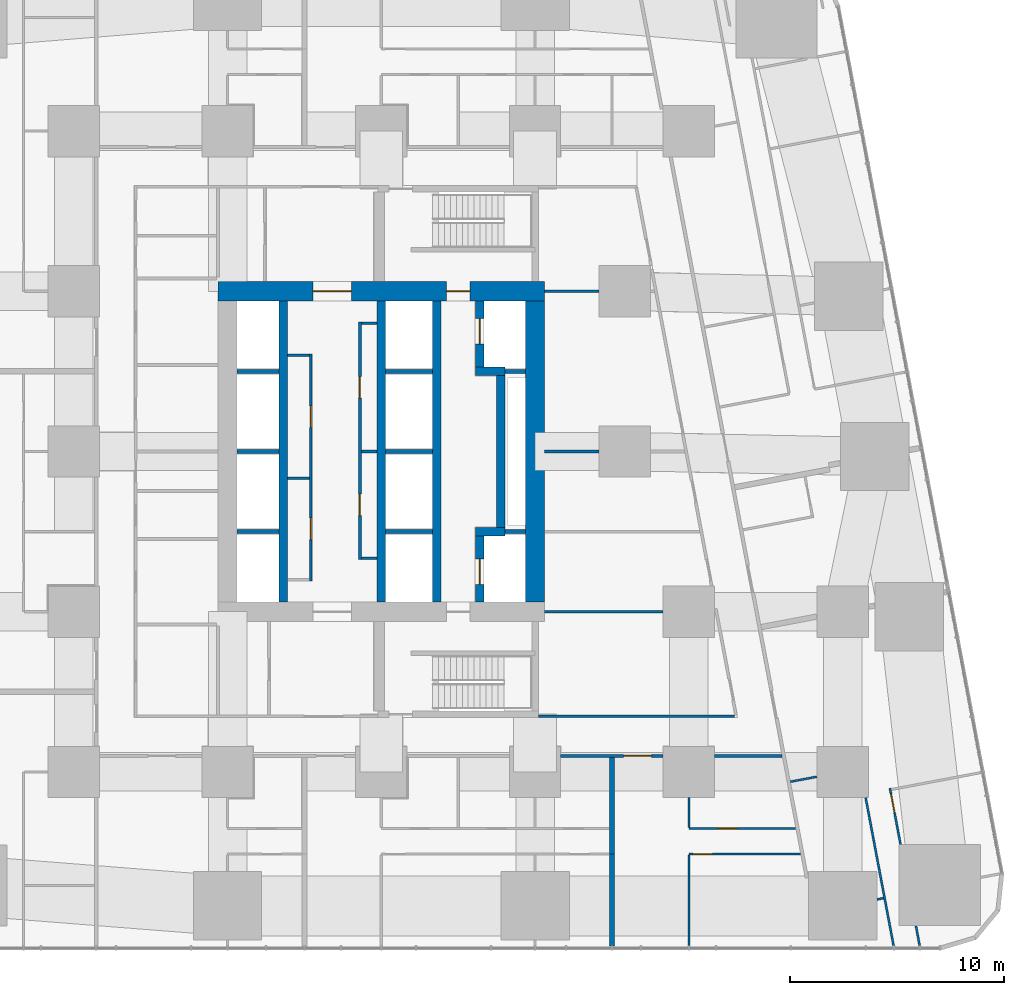
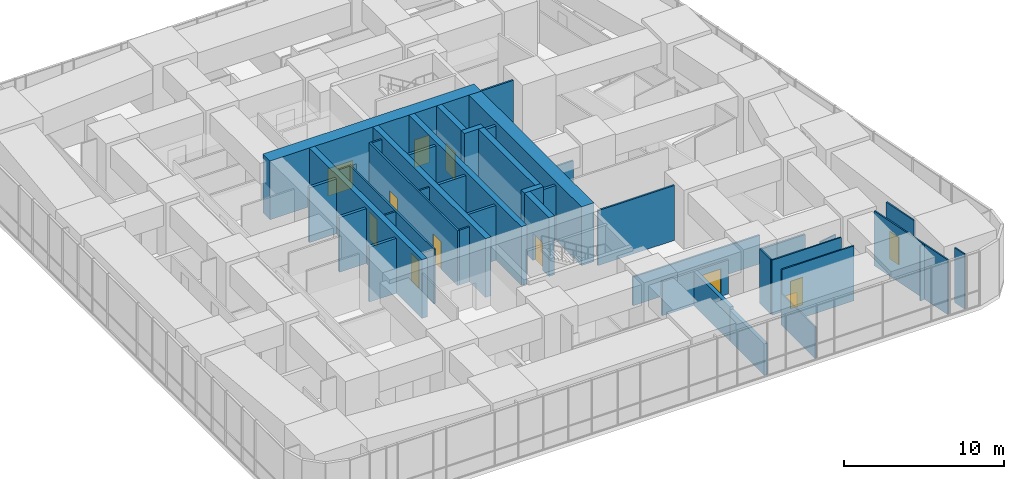
# One storey, part 16 of 22: 42 walls, 12 doors, 12 openings.
"""IFC4 building model written with IfcOpenShell, lengths in metres."""

from ifc_helpers import new_model, si_unit, direction, frame, frame_2d, origin, place, context, subcontext, project, spatial, rectangle, extrude, material, layer, layer_set, type_object, element, fill, save


model = new_model("IFC4")

# Units and contexts
model_context = context("Model", 3, precision=1e-05, world=origin(), true_north=direction((0.0, 1.0)))
body_context = subcontext(model_context, "Body", "Model", "MODEL_VIEW")
ifc_project = project(units=[si_unit("LENGTHUNIT", "METRE"), si_unit("AREAUNIT", "SQUARE_METRE"), si_unit("VOLUMEUNIT", "CUBIC_METRE"), si_unit("PLANEANGLEUNIT", "RADIAN"), si_unit("MASSUNIT", "GRAM", prefix="KILO")], contexts=[model_context])

# Site, building, storey
site_placement = place(None, origin())
site = spatial("IfcSite", under=ifc_project, at=site_placement, CompositionType="ELEMENT")
building_placement = place(site_placement, origin())
building = spatial("IfcBuilding", under=site, at=building_placement, Name="Sheger Commons Tower", CompositionType="ELEMENT")
storey_placement = place(building_placement, frame((0.0, 0.0, 10.10009765625)))
storey = spatial("IfcBuildingStorey", under=building, at=storey_placement, Name="L02", CompositionType="ELEMENT", Elevation=10.10009765625)

# Walls
ifc_material_1 = material(Name="Concrete C50/60", Category="concrete")
ifc_layer_1 = layer(ifc_material_1, 0.39990234375)
ifc_layer_set_1 = layer_set([ifc_layer_1], Name="CORE INNER WALL 400")
wall_type_1 = type_object("IfcWallType", Name="CORE INNER WALL 400", PredefinedType="SHEAR", material=ifc_layer_set_1)
for number, where, z_axis, x_axis, name in (
    (1, (17.0, 15.449951171875, 0.0), (0.0, 0.0, 1.0), (0.0, 1.0, 0.0), "Core inner wall A L02"),
    (2, (21.60009765625, 15.449951171875, 0.0), (0.0, 0.0, 1.0), (0.0, 1.0, 0.0), "Core inner wall L L02"),
    (3, (24.199951171875, 15.449951171875, 0.0), (0.0, 0.0, 1.0), (0.0, 1.0, 0.0), "Core inner wall B L02"),
):
    element("IfcWall", number, at=place(storey_placement, frame(where, z_axis=z_axis, x_axis=x_axis)), inside=storey, type_object=wall_type_1, Name=name, PredefinedType="SHEAR", context=body_context, shape_type="SweptSolid", body=[
        extrude(rectangle(XDim=14.10009765625, YDim=0.39990234375, at=frame_2d((7.050048828125, 0.0))), origin(), (0.0, 0.0, 1.0), 4.5),
    ])

# Wall, opening, door
wall_1_placement = place(storey_placement, frame((26.199951171875, 15.449951171875, 0.0), z_axis=(0.0, 0.0, 1.0), x_axis=(0.0, 1.0, 0.0)))
wall_1 = element("IfcWall", 4, at=wall_1_placement, inside=storey, type_object=wall_type_1, Name="Core inner wall F L02", PredefinedType="SHEAR", context=body_context, shape_type="SweptSolid", body=[
    extrude(rectangle(XDim=3.10009765625, YDim=0.39990234375, at=frame_2d((1.550048828125, 0.0))), origin(), (0.0, 0.0, 1.0), 4.5),
])
opening_1_placement = place(wall_1_placement, frame((0.824951171875, 0.0, 0.0)))
opening_1 = element("IfcOpeningElement", 5, at=opening_1_placement, cuts=wall_1, Name="Opening LD2", PredefinedType="OPENING", context=body_context, shape_type="SweptSolid", body=[
    extrude(rectangle(XDim=1.199951171875, YDim=2.10009765625, at=frame_2d((0.60009765625, 1.050048828125))), frame((0.0, 0.2099609375, 0.0), z_axis=(0.0, -1.0, 0.0), x_axis=(1.0, 0.0, 0.0)), (0.0, 0.0, 1.0), 0.419921875),
])
ifc_material_2 = material(Name="Steel door set, fire rated", Category="steel")
door_type_1 = type_object("IfcDoorType", Name="FIREFIGHTING LIFT LANDING DOOR 1200x2100", OperationType="DOUBLE_DOOR_SLIDING", PredefinedType="DOOR", material=ifc_material_2)
door_1_placement = place(opening_1_placement, origin())
door_1 = element("IfcDoor", 6, at=door_1_placement, inside=storey, type_object=door_type_1, Name="Lift FL1 landing door", OperationType="DOUBLE_DOOR_SLIDING", OverallHeight=2.10009765625, OverallWidth=1.199951171875, PredefinedType="DOOR", context=body_context, shape_type="SweptSolid", body=[
    extrude(rectangle(XDim=1.199951171875, YDim=2.10009765625, at=frame_2d((0.60009765625, 1.050048828125))), frame((0.0, 0.02490234375, 0.0), z_axis=(0.0, -1.0, 0.0), x_axis=(1.0, 0.0, 0.0)), (0.0, 0.0, 1.0), 0.050048828125),
])
fill(opening_1, door_1)

# Walls
wall_2_placement = place(storey_placement, frame((26.0, 18.75, 0.0), z_axis=(0.0, 0.0, 1.0), x_axis=(1.0, 0.0, 0.0)))
element("IfcWall", 7, at=wall_2_placement, inside=storey, type_object=wall_type_1, Name="Core inner wall F south return L02", PredefinedType="SHEAR", context=body_context, shape_type="SweptSolid", body=[
    extrude(rectangle(XDim=1.39990234375, YDim=0.39990234375, at=frame_2d((0.699951171875, 0.0))), origin(), (0.0, 0.0, 1.0), 4.5),
])
wall_3_placement = place(storey_placement, frame((27.199951171875, 18.949951171875, 0.0), z_axis=(0.0, 0.0, 1.0), x_axis=(0.0, 1.0, 0.0)))
element("IfcWall", 8, at=wall_3_placement, inside=storey, type_object=wall_type_1, Name="Core inner wall F middle L02", PredefinedType="SHEAR", context=body_context, shape_type="SweptSolid", body=[
    extrude(rectangle(XDim=7.10009765625, YDim=0.39990234375, at=frame_2d((3.550048828125, 0.0))), origin(), (0.0, 0.0, 1.0), 4.5),
])
wall_4_placement = place(storey_placement, frame((26.0, 26.25, 0.0), z_axis=(0.0, 0.0, 1.0), x_axis=(1.0, 0.0, 0.0)))
element("IfcWall", 9, at=wall_4_placement, inside=storey, type_object=wall_type_1, Name="Core inner wall F north return L02", PredefinedType="SHEAR", context=body_context, shape_type="SweptSolid", body=[
    extrude(rectangle(XDim=1.39990234375, YDim=0.39990234375, at=frame_2d((0.699951171875, 0.0))), origin(), (0.0, 0.0, 1.0), 4.5),
])

# Wall, opening, door
wall_5_placement = place(storey_placement, frame((26.199951171875, 26.449951171875, 0.0), z_axis=(0.0, 0.0, 1.0), x_axis=(0.0, 1.0, 0.0)))
wall_5 = element("IfcWall", 10, at=wall_5_placement, inside=storey, type_object=wall_type_1, Name="Core inner wall F north L02", PredefinedType="SHEAR", context=body_context, shape_type="SweptSolid", body=[
    extrude(rectangle(XDim=3.10009765625, YDim=0.39990234375, at=frame_2d((1.550048828125, 0.0))), origin(), (0.0, 0.0, 1.0), 4.5),
])
opening_2_placement = place(wall_5_placement, frame((1.074951171875, 0.0, 0.0)))
opening_2 = element("IfcOpeningElement", 11, at=opening_2_placement, cuts=wall_5, Name="Opening LD2", PredefinedType="OPENING", context=body_context, shape_type="SweptSolid", body=[
    extrude(rectangle(XDim=1.199951171875, YDim=2.10009765625, at=frame_2d((0.60009765625, 1.050048828125))), frame((0.0, 0.2099609375, 0.0), z_axis=(0.0, -1.0, 0.0), x_axis=(1.0, 0.0, 0.0)), (0.0, 0.0, 1.0), 0.419921875),
])
door_2_placement = place(opening_2_placement, origin())
door_2 = element("IfcDoor", 12, at=door_2_placement, inside=storey, type_object=door_type_1, Name="Lift FL2 landing door", OperationType="DOUBLE_DOOR_SLIDING", OverallHeight=2.10009765625, OverallWidth=1.199951171875, PredefinedType="DOOR", context=body_context, shape_type="SweptSolid", body=[
    extrude(rectangle(XDim=1.199951171875, YDim=2.10009765625, at=frame_2d((0.60009765625, 1.050048828125))), frame((0.0, 0.02490234375, 0.0), z_axis=(0.0, -1.0, 0.0), x_axis=(1.0, 0.0, 0.0)), (0.0, 0.0, 1.0), 0.050048828125),
])
fill(opening_2, door_2)

# Wall, openings, doors
ifc_material_3 = material(Name="Concrete C50/60", Category="concrete")
ifc_layer_2 = layer(ifc_material_3, 0.89990234375)
ifc_layer_set_2 = layer_set([ifc_layer_2], Name="CORE WALL 900")
wall_type_2 = type_object("IfcWallType", Name="CORE WALL 900", PredefinedType="SHEAR", material=ifc_layer_set_2)
wall_6_placement = place(storey_placement, frame((13.949951171875, 30.0, 0.0), z_axis=(0.0, 0.0, 1.0), x_axis=(1.0, 0.0, 0.0)))
wall_6 = element("IfcWall", 13, at=wall_6_placement, inside=storey, type_object=wall_type_2, Name="Core wall north L02", PredefinedType="SHEAR", context=body_context, shape_type="SweptSolid", body=[
    extrude(rectangle(XDim=15.300048828125, YDim=0.89990234375, at=frame_2d((7.64990234375, 0.0))), origin(), (0.0, 0.0, 1.0), 4.5),
])
opening_3_placement = place(wall_6_placement, frame((4.449951171875, 0.0, 0.0)))
opening_3 = element("IfcOpeningElement", 14, at=opening_3_placement, cuts=wall_6, Name="Opening D6", PredefinedType="OPENING", context=body_context, shape_type="SweptSolid", body=[
    extrude(rectangle(XDim=1.800048828125, YDim=2.10009765625, at=frame_2d((0.89990234375, 1.050048828125))), frame((0.0, 0.4599609375, 0.0), z_axis=(0.0, -1.0, 0.0), x_axis=(1.0, 0.0, 0.0)), (0.0, 0.0, 1.0), 0.919921875),
])
opening_4_placement = place(wall_6_placement, frame((10.699951171875, 0.0, 0.0)))
opening_4 = element("IfcOpeningElement", 15, at=opening_4_placement, cuts=wall_6, Name="Opening D5", PredefinedType="OPENING", context=body_context, shape_type="SweptSolid", body=[
    extrude(rectangle(XDim=1.10009765625, YDim=2.10009765625, at=frame_2d((0.550048828125, 1.050048828125))), frame((0.0, 0.4599609375, 0.0), z_axis=(0.0, -1.0, 0.0), x_axis=(1.0, 0.0, 0.0)), (0.0, 0.0, 1.0), 0.919921875),
])
ifc_material_4 = material(Name="Steel door set, fire rated", Category="steel")
door_type_2 = type_object("IfcDoorType", Name="LOBBY DOUBLE DOOR 1800x2100", OperationType="DOUBLE_DOOR_SINGLE_SWING", PredefinedType="DOOR", material=ifc_material_4)
door_3_placement = place(opening_3_placement, origin())
door_3 = element("IfcDoor", 16, at=door_3_placement, inside=storey, type_object=door_type_2, Name="Lift lobby door", OperationType="DOUBLE_DOOR_SINGLE_SWING", OverallHeight=2.10009765625, OverallWidth=1.800048828125, PredefinedType="DOOR", context=body_context, shape_type="SweptSolid", body=[
    extrude(rectangle(XDim=1.800048828125, YDim=2.10009765625, at=frame_2d((0.89990234375, 1.050048828125))), frame((0.0, 0.02490234375, 0.0), z_axis=(0.0, -1.0, 0.0), x_axis=(1.0, 0.0, 0.0)), (0.0, 0.0, 1.0), 0.050048828125),
])
fill(opening_3, door_3)
ifc_material_5 = material(Name="Steel door set, fire rated", Category="steel")
door_type_3 = type_object("IfcDoorType", Name="STAIR DOOR 1100x2100", OperationType="NOTDEFINED", PredefinedType="DOOR", material=ifc_material_5)
door_4_placement = place(opening_4_placement, origin())
door_4 = element("IfcDoor", 17, at=door_4_placement, inside=storey, type_object=door_type_3, Name="Fire-fighting lobby door", OperationType="SINGLE_SWING_RIGHT", OverallHeight=2.10009765625, OverallWidth=1.10009765625, PredefinedType="DOOR", context=body_context, shape_type="SweptSolid", body=[
    extrude(rectangle(XDim=1.10009765625, YDim=2.10009765625, at=frame_2d((0.550048828125, 1.050048828125))), frame((0.0, 0.02490234375, 0.0), z_axis=(0.0, -1.0, 0.0), x_axis=(1.0, 0.0, 0.0)), (0.0, 0.0, 1.0), 0.050048828125),
])
fill(opening_4, door_4)

# Walls
wall_7_placement = place(storey_placement, frame((28.800048828125, 15.449951171875, 0.0), z_axis=(0.0, 0.0, 1.0), x_axis=(0.0, 1.0, 0.0)))
element("IfcWall", 18, at=wall_7_placement, inside=storey, type_object=wall_type_2, Name="Core wall east L02", PredefinedType="SHEAR", context=body_context, shape_type="SweptSolid", body=[
    extrude(rectangle(XDim=14.10009765625, YDim=0.89990234375, at=frame_2d((7.050048828125, 0.0))), origin(), (0.0, 0.0, 1.0), 4.5),
])
ifc_material_6 = material(Name="Hollow concrete block masonry, skimmed both sides", Category="masonry")
ifc_layer_3 = layer(ifc_material_6, 0.14990234375)
ifc_layer_set_3 = layer_set([ifc_layer_3], Name="CORRIDOR WALL 150")
wall_type_3 = type_object("IfcWallType", Name="CORRIDOR WALL 150", PredefinedType="SOLIDWALL", material=ifc_layer_set_3)
wall_8_placement = place(storey_placement, frame((40.35498046875, 8.25, 0.0), z_axis=(0.0, 0.0, 1.0), x_axis=(-1.0, 0.0, 0.0)))
element("IfcWall", 19, at=wall_8_placement, inside=storey, type_object=wall_type_3, Name="Corridor wall L02", PredefinedType="SOLIDWALL", context=body_context, shape_type="SweptSolid", body=[
    extrude(rectangle(XDim=3.154052734375, YDim=0.14990234375, at=frame_2d((1.5771484375, 0.0))), origin(), (0.0, 0.0, 1.0), 2.599853515625),
])

# Wall, opening, door
wall_9_placement = place(storey_placement, frame((34.799072265625, 8.25, 0.0), z_axis=(0.0, 0.0, 1.0), x_axis=(-1.0, 0.0, 0.0)))
wall_9 = element("IfcWall", 20, at=wall_9_placement, inside=storey, type_object=wall_type_3, Name="Corridor wall L02", PredefinedType="SOLIDWALL", context=body_context, shape_type="SweptSolid", body=[
    extrude(rectangle(XDim=4.798095703125, YDim=0.14990234375, at=frame_2d((2.39892578125, 0.0))), origin(), (0.0, 0.0, 1.0), 2.599853515625),
])
opening_5_placement = place(wall_9_placement, frame((0.549072265625, 0.0, 0.0)))
opening_5 = element("IfcOpeningElement", 21, at=opening_5_placement, cuts=wall_9, Name="Opening D9", PredefinedType="OPENING", context=body_context, shape_type="SweptSolid", body=[
    extrude(rectangle(XDim=1.300048828125, YDim=2.10009765625, at=frame_2d((0.64990234375, 1.050048828125))), frame((0.0, 0.0849609375, 0.0), z_axis=(0.0, -1.0, 0.0), x_axis=(1.0, 0.0, 0.0)), (0.0, 0.0, 1.0), 0.169921875),
])
ifc_material_7 = material(Name="Steel door set, fire rated", Category="steel")
door_type_4 = type_object("IfcDoorType", Name="CLINIC SUITE DOOR 1300x2100", OperationType="DOUBLE_DOOR_SINGLE_SWING", PredefinedType="DOOR", material=ifc_material_7)
door_5_placement = place(opening_5_placement, origin())
door_5 = element("IfcDoor", 22, at=door_5_placement, inside=storey, type_object=door_type_4, Name="Suite door", OperationType="DOUBLE_DOOR_SINGLE_SWING", OverallHeight=2.10009765625, OverallWidth=1.300048828125, PredefinedType="DOOR", context=body_context, shape_type="SweptSolid", body=[
    extrude(rectangle(XDim=1.300048828125, YDim=2.10009765625, at=frame_2d((0.64990234375, 1.050048828125))), frame((0.0, 0.02490234375, 0.0), z_axis=(0.0, -1.0, 0.0), x_axis=(1.0, 0.0, 0.0)), (0.0, 0.0, 1.0), 0.050048828125),
])
fill(opening_5, door_5)

# Walls
ifc_material_8 = material(Name="Dense concrete block masonry, plastered both sides (separating wall between flats)", Category="masonry")
ifc_layer_4 = layer(ifc_material_8, 0.25)
ifc_layer_set_4 = layer_set([ifc_layer_4], Name="DEMISING WALL 250")
wall_type_4 = type_object("IfcWallType", Name="DEMISING WALL 250", PredefinedType="SOLIDWALL", material=ifc_layer_set_4)
wall_10_placement = place(storey_placement, frame((32.39990234375, -0.64990234375, 0.0), z_axis=(0.0, 0.0, 1.0), x_axis=(0.0, 1.0, 0.0)))
element("IfcWall", 23, at=wall_10_placement, inside=storey, type_object=wall_type_4, Name="Demising wall L02", PredefinedType="SOLIDWALL", context=body_context, shape_type="SweptSolid", body=[
    extrude(rectangle(XDim=4.2998046875, YDim=0.25, at=frame_2d((2.14990234375, 0.0))), origin(), (0.0, 0.0, 1.0), 2.39990234375),
])
wall_11_placement = place(storey_placement, frame((32.39990234375, 3.64990234375, 0.0), z_axis=(0.0, 0.0, 1.0), x_axis=(0.0, 1.0, 0.0)))
element("IfcWall", 24, at=wall_11_placement, inside=storey, type_object=wall_type_4, Name="Demising wall L02", PredefinedType="SOLIDWALL", context=body_context, shape_type="SweptSolid", body=[
    extrude(rectangle(XDim=4.525146484375, YDim=0.25, at=frame_2d((2.2626953125, 0.0))), origin(), (0.0, 0.0, 1.0), 2.599853515625),
])

# Wall, opening, door
ifc_material_9 = material(Name="Gypsum board on steel studs", Category="steel")
ifc_layer_5 = layer(ifc_material_9, 0.10009765625)
ifc_layer_set_5 = layer_set([ifc_layer_5], Name="PARTITION 100")
wall_type_5 = type_object("IfcWallType", Name="PARTITION 100", PredefinedType="PARTITIONING", material=ifc_layer_set_5)
wall_12_placement = place(storey_placement, frame((41.22900390625, 3.64990234375, 0.0), z_axis=(0.0, 0.0, 1.0), x_axis=(-1.0, 0.0, 0.0)))
wall_12 = element("IfcWall", 25, at=wall_12_placement, inside=storey, type_object=wall_type_5, Name="Partition L02", PredefinedType="PARTITIONING", context=body_context, shape_type="SweptSolid", body=[
    extrude(rectangle(XDim=5.22900390625, YDim=0.10009765625, at=frame_2d((2.614501953125, 0.0))), origin(), (0.0, 0.0, 1.0), 4.199951171875),
])
opening_6_placement = place(wall_12_placement, frame((4.12890625, 0.0, 0.0)))
opening_6 = element("IfcOpeningElement", 26, at=opening_6_placement, cuts=wall_12, Name="Opening D2", PredefinedType="OPENING", context=body_context, shape_type="SweptSolid", body=[
    extrude(rectangle(XDim=0.89990234375, YDim=2.10009765625, at=frame_2d((0.449951171875, 1.050048828125))), frame((0.0, 0.06005859375, 0.0), z_axis=(0.0, -1.0, 0.0), x_axis=(1.0, 0.0, 0.0)), (0.0, 0.0, 1.0), 0.1201171875),
])
ifc_material_10 = material(Name="Timber door set", Category="wood")
door_type_5 = type_object("IfcDoorType", Name="INTERNAL DOOR 900x2100", OperationType="NOTDEFINED", PredefinedType="DOOR", material=ifc_material_10)
door_6_placement = place(opening_6_placement, origin())
door_6 = element("IfcDoor", 27, at=door_6_placement, inside=storey, type_object=door_type_5, Name="Dental surgery door", OperationType="SINGLE_SWING_RIGHT", OverallHeight=2.10009765625, OverallWidth=0.89990234375, PredefinedType="DOOR", context=body_context, shape_type="SweptSolid", body=[
    extrude(rectangle(XDim=0.89990234375, YDim=2.10009765625, at=frame_2d((0.449951171875, 1.050048828125))), frame((0.0, 0.02490234375, 0.0), z_axis=(0.0, -1.0, 0.0), x_axis=(1.0, 0.0, 0.0)), (0.0, 0.0, 1.0), 0.050048828125),
])
fill(opening_6, door_6)

wall_13_placement = place(storey_placement, frame((41.001953125, 4.85009765625, 0.0), z_axis=(0.0, 0.0, 1.0), x_axis=(-1.0, 0.0, 0.0)))
wall_13 = element("IfcWall", 28, at=wall_13_placement, inside=storey, type_object=wall_type_5, Name="Partition L02", PredefinedType="PARTITIONING", context=body_context, shape_type="SweptSolid", body=[
    extrude(rectangle(XDim=5.001953125, YDim=0.10009765625, at=frame_2d((2.5009765625, 0.0))), origin(), (0.0, 0.0, 1.0), 4.199951171875),
])
opening_7_placement = place(wall_13_placement, frame((2.751953125, 0.0, 0.0)))
opening_7 = element("IfcOpeningElement", 29, at=opening_7_placement, cuts=wall_13, Name="Opening D2", PredefinedType="OPENING", context=body_context, shape_type="SweptSolid", body=[
    extrude(rectangle(XDim=0.89990234375, YDim=2.10009765625, at=frame_2d((0.449951171875, 1.050048828125))), frame((0.0, 0.06005859375, 0.0), z_axis=(0.0, -1.0, 0.0), x_axis=(1.0, 0.0, 0.0)), (0.0, 0.0, 1.0), 0.1201171875),
])
door_7_placement = place(opening_7_placement, origin())
door_7 = element("IfcDoor", 30, at=door_7_placement, inside=storey, type_object=door_type_5, Name="Treatment room door", OperationType="SINGLE_SWING_LEFT", OverallHeight=2.10009765625, OverallWidth=0.89990234375, PredefinedType="DOOR", context=body_context, shape_type="SweptSolid", body=[
    extrude(rectangle(XDim=0.89990234375, YDim=2.10009765625, at=frame_2d((0.449951171875, 1.050048828125))), frame((0.0, 0.02490234375, 0.0), z_axis=(0.0, -1.0, 0.0), x_axis=(1.0, 0.0, 0.0)), (0.0, 0.0, 1.0), 0.050048828125),
])
fill(opening_7, door_7)

# Walls
wall_14_placement = place(storey_placement, frame((36.0, -0.64990234375, 0.0), z_axis=(0.0, 0.0, 1.0), x_axis=(0.0, 1.0, 0.0)))
element("IfcWall", 31, at=wall_14_placement, inside=storey, type_object=wall_type_5, Name="Partition L02", PredefinedType="PARTITIONING", context=body_context, shape_type="SweptSolid", body=[
    extrude(rectangle(XDim=4.25, YDim=0.10009765625, at=frame_2d((2.125, 0.0))), origin(), (0.0, 0.0, 1.0), 2.39990234375),
])
wall_15_placement = place(storey_placement, frame((36.0, 4.89990234375, 0.0), z_axis=(0.0, 0.0, 1.0), x_axis=(0.0, 1.0, 0.0)))
element("IfcWall", 32, at=wall_15_placement, inside=storey, type_object=wall_type_5, Name="Partition L02", PredefinedType="PARTITIONING", context=body_context, shape_type="SweptSolid", body=[
    extrude(rectangle(XDim=1.399169921875, YDim=0.10009765625, at=frame_2d((0.69970703125, 0.0))), origin(), (0.0, 0.0, 1.0), 4.199951171875),
])

# Wall, opening, door
wall_16_placement = place(storey_placement, frame((45.4130859375, 6.737060546875, 0.0), z_axis=(0.0, 0.0, 1.0), x_axis=(0.185263269673, -0.982688923775, 0.0)))
wall_16 = element("IfcWall", 33, at=wall_16_placement, inside=storey, type_object=wall_type_5, Name="Partition L02", PredefinedType="PARTITIONING", context=body_context, shape_type="SweptSolid", body=[
    extrude(rectangle(XDim=2.676513671875, YDim=0.10009765625, at=frame_2d((1.33837890625, 0.0))), origin(), (0.0, 0.0, 1.0), 4.199951171875),
])
opening_8_placement = place(wall_16_placement, frame((0.27392578125, 0.0, 0.0)))
opening_8 = element("IfcOpeningElement", 34, at=opening_8_placement, cuts=wall_16, Name="Opening D2", PredefinedType="OPENING", context=body_context, shape_type="SweptSolid", body=[
    extrude(rectangle(XDim=0.89990234375, YDim=2.10009765625, at=frame_2d((0.449951171875, 1.050048828125))), frame((0.0, 0.06005859375, 0.0), z_axis=(0.0, -1.0, 0.0), x_axis=(1.0, 0.0, 0.0)), (0.0, 0.0, 1.0), 0.1201171875),
])
door_8_placement = place(opening_8_placement, origin())
door_8 = element("IfcDoor", 35, at=door_8_placement, inside=storey, type_object=door_type_5, Name="Dental surgery door", OperationType="SINGLE_SWING_LEFT", OverallHeight=2.10009765625, OverallWidth=0.89990234375, PredefinedType="DOOR", context=body_context, shape_type="SweptSolid", body=[
    extrude(rectangle(XDim=0.89990234375, YDim=2.10009765625, at=frame_2d((0.449951171875, 1.050048828125))), frame((0.0, 0.02490234375, 0.0), z_axis=(0.0, -1.0, 0.0), x_axis=(1.0, 0.0, 0.0)), (0.0, 0.0, 1.0), 0.050048828125),
])
fill(opening_8, door_8)

# Walls
wall_17_placement = place(storey_placement, frame((46.631103515625, 0.287109375, 0.0), z_axis=(0.0, 0.0, 1.0), x_axis=(0.185617761613, -0.982622026302, 0.0)))
element("IfcWall", 36, at=wall_17_placement, inside=storey, type_object=wall_type_5, Name="Partition L02", PredefinedType="PARTITIONING", context=body_context, shape_type="SweptSolid", body=[
    extrude(rectangle(XDim=0.95361328125, YDim=0.10009765625, at=frame_2d((0.476806640625, 0.0))), origin(), (0.0, 0.0, 1.0), 4.199951171875),
])
wall_18_placement = place(storey_placement, frame((44.277099609375, 6.2900390625, 0.0), z_axis=(0.0, 0.0, 1.0), x_axis=(0.18546139356, -0.982651551415, 0.0)))
element("IfcWall", 37, at=wall_18_placement, inside=storey, type_object=wall_type_5, Name="Partition L02", PredefinedType="PARTITIONING", context=body_context, shape_type="SweptSolid", body=[
    extrude(rectangle(XDim=7.0625, YDim=0.10009765625, at=frame_2d((3.53125, 0.0))), origin(), (0.0, 0.0, 1.0), 4.199951171875),
])
wall_19_placement = place(storey_placement, frame((41.989990234375, 7.27197265625, 0.0), z_axis=(0.0, 0.0, 1.0), x_axis=(-0.982645675559, -0.185492523583, 0.0)))
element("IfcWall", 38, at=wall_19_placement, inside=storey, type_object=wall_type_5, Name="Partition L02", PredefinedType="PARTITIONING", context=body_context, shape_type="SweptSolid", body=[
    extrude(rectangle(XDim=1.260986328125, YDim=0.10009765625, at=frame_2d((0.63037109375, 0.0))), origin(), (0.0, 0.0, 1.0), 2.599853515625),
])
wall_20_placement = place(storey_placement, frame((45.114013671875, 1.5869140625, 0.0), z_axis=(0.0, 0.0, 1.0), x_axis=(-0.982934694903, -0.183954846516, 0.0)))
element("IfcWall", 39, at=wall_20_placement, inside=storey, type_object=wall_type_5, Name="Partition L02", PredefinedType="PARTITIONING", context=body_context, shape_type="SweptSolid", body=[
    extrude(rectangle(XDim=0.309326171875, YDim=0.10009765625, at=frame_2d((0.15478515625, 0.0))), origin(), (0.0, 0.0, 1.0), 4.199951171875),
])
ifc_material_11 = material(Name="Gypsum board on steel studs, two layers each side, fire rated", Category="steel")
ifc_layer_6 = layer(ifc_material_11, 0.125)
ifc_layer_set_6 = layer_set([ifc_layer_6], Name="SERVICE WALL 125")
wall_type_6 = type_object("IfcWallType", Name="SERVICE WALL 125", PredefinedType="PARTITIONING", material=ifc_layer_set_6)
wall_21_placement = place(storey_placement, frame((28.949951171875, 10.10009765625, 0.0), z_axis=(0.0, 0.0, 1.0), x_axis=(1.0, 0.0, 0.0)))
element("IfcWall", 40, at=wall_21_placement, inside=storey, type_object=wall_type_6, Name="Service room wall L02", PredefinedType="PARTITIONING", context=body_context, shape_type="SweptSolid", body=[
    extrude(rectangle(XDim=9.18798828125, YDim=0.125, at=frame_2d((4.593994140625, 0.0))), origin(), (0.0, 0.0, 1.0), 2.199951171875),
])
wall_22_placement = place(storey_placement, frame((29.25, 15.0, 0.0), z_axis=(0.0, 0.0, 1.0), x_axis=(1.0, 0.0, 0.0)))
element("IfcWall", 41, at=wall_22_placement, inside=storey, type_object=wall_type_6, Name="Service room wall L02", PredefinedType="PARTITIONING", context=body_context, shape_type="SweptSolid", body=[
    extrude(rectangle(XDim=5.549072265625, YDim=0.125, at=frame_2d((2.7744140625, 0.0))), origin(), (0.0, 0.0, 1.0), 4.199951171875),
])
wall_23_placement = place(storey_placement, frame((29.25, 22.5, 0.0), z_axis=(0.0, 0.0, 1.0), x_axis=(1.0, 0.0, 0.0)))
element("IfcWall", 42, at=wall_23_placement, inside=storey, type_object=wall_type_6, Name="Service room wall L02", PredefinedType="PARTITIONING", context=body_context, shape_type="SweptSolid", body=[
    extrude(rectangle(XDim=2.549072265625, YDim=0.125, at=frame_2d((1.2744140625, 0.0))), origin(), (0.0, 0.0, 1.0), 2.599853515625),
])
wall_24_placement = place(storey_placement, frame((29.25, 30.0, 0.0), z_axis=(0.0, 0.0, 1.0), x_axis=(1.0, 0.0, 0.0)))
element("IfcWall", 43, at=wall_24_placement, inside=storey, type_object=wall_type_6, Name="Service room wall L02", PredefinedType="PARTITIONING", context=body_context, shape_type="SweptSolid", body=[
    extrude(rectangle(XDim=2.549072265625, YDim=0.125, at=frame_2d((1.2744140625, 0.0))), origin(), (0.0, 0.0, 1.0), 4.199951171875),
])

# Wall, openings, doors
wall_25_placement = place(storey_placement, frame((20.60009765625, 17.43798828125, 0.0), z_axis=(0.0, 0.0, 1.0), x_axis=(0.0, 1.0, 0.0)))
wall_25 = element("IfcWall", 44, at=wall_25_placement, inside=storey, type_object=wall_type_6, Name="Service room wall L02", PredefinedType="PARTITIONING", context=body_context, shape_type="SweptSolid", body=[
    extrude(rectangle(XDim=11.1240234375, YDim=0.125, at=frame_2d((5.56201171875, 0.0))), origin(), (0.0, 0.0, 1.0), 4.199951171875),
])
opening_9_placement = place(wall_25_placement, frame((2.06201171875, 0.0, 0.0)))
opening_9 = element("IfcOpeningElement", 45, at=opening_9_placement, cuts=wall_25, Name="Opening D4", PredefinedType="OPENING", context=body_context, shape_type="SweptSolid", body=[
    extrude(rectangle(XDim=1.0, YDim=2.10009765625, at=frame_2d((0.5, 1.050048828125))), frame((0.0, 0.072509765625, 0.0), z_axis=(0.0, -1.0, 0.0), x_axis=(1.0, 0.0, 0.0)), (0.0, 0.0, 1.0), 0.14501953125),
])
opening_10_placement = place(wall_25_placement, frame((7.56201171875, 0.0, 0.0)))
opening_10 = element("IfcOpeningElement", 46, at=opening_10_placement, cuts=wall_25, Name="Opening D4", PredefinedType="OPENING", context=body_context, shape_type="SweptSolid", body=[
    extrude(rectangle(XDim=1.0, YDim=2.10009765625, at=frame_2d((0.5, 1.050048828125))), frame((0.0, 0.072509765625, 0.0), z_axis=(0.0, -1.0, 0.0), x_axis=(1.0, 0.0, 0.0)), (0.0, 0.0, 1.0), 0.14501953125),
])
ifc_material_12 = material(Name="Steel door set, fire rated", Category="steel")
door_type_6 = type_object("IfcDoorType", Name="SERVICE DOOR 1000x2100", OperationType="NOTDEFINED", PredefinedType="DOOR", material=ifc_material_12)
door_9_placement = place(opening_9_placement, origin())
door_9 = element("IfcDoor", 47, at=door_9_placement, inside=storey, type_object=door_type_6, Name="Linen cupboard door", OperationType="SINGLE_SWING_LEFT", OverallHeight=2.10009765625, OverallWidth=1.0, PredefinedType="DOOR", context=body_context, shape_type="SweptSolid", body=[
    extrude(rectangle(XDim=1.0, YDim=2.10009765625, at=frame_2d((0.5, 1.050048828125))), frame((0.0, 0.02490234375, 0.0), z_axis=(0.0, -1.0, 0.0), x_axis=(1.0, 0.0, 0.0)), (0.0, 0.0, 1.0), 0.050048828125),
])
fill(opening_9, door_9)
door_10_placement = place(opening_10_placement, origin())
door_10 = element("IfcDoor", 48, at=door_10_placement, inside=storey, type_object=door_type_6, Name="Housekeeping cupboard door", OperationType="SINGLE_SWING_RIGHT", OverallHeight=2.10009765625, OverallWidth=1.0, PredefinedType="DOOR", context=body_context, shape_type="SweptSolid", body=[
    extrude(rectangle(XDim=1.0, YDim=2.10009765625, at=frame_2d((0.5, 1.050048828125))), frame((0.0, 0.02490234375, 0.0), z_axis=(0.0, -1.0, 0.0), x_axis=(1.0, 0.0, 0.0)), (0.0, 0.0, 1.0), 0.050048828125),
])
fill(opening_10, door_10)

# Walls
for number, where, z_axis, x_axis, name in (
    (49, (20.6630859375, 17.5, 0.0), (0.0, 0.0, 1.0), (1.0, 0.0, 0.0), "Service room wall L02"),
    (50, (20.6630859375, 28.5, 0.0), (0.0, 0.0, 1.0), (1.0, 0.0, 0.0), "Service room wall L02"),
    (51, (20.6630859375, 22.5, 0.0), (0.0, 0.0, 1.0), (1.0, 0.0, 0.0), "Service room wall L02"),
):
    element("IfcWall", number, at=place(storey_placement, frame(where, z_axis=z_axis, x_axis=x_axis)), inside=storey, type_object=wall_type_6, Name=name, PredefinedType="PARTITIONING", context=body_context, shape_type="SweptSolid", body=[
        extrude(rectangle(XDim=0.73681640625, YDim=0.125, at=frame_2d((0.368408203125, 0.0))), origin(), (0.0, 0.0, 1.0), 4.199951171875),
    ])

# Wall, openings, doors
wall_26_placement = place(storey_placement, frame((18.300048828125, 27.06201171875, 0.0), z_axis=(0.0, 0.0, 1.0), x_axis=(0.0, -1.0, 0.0)))
wall_26 = element("IfcWall", 52, at=wall_26_placement, inside=storey, type_object=wall_type_6, Name="Service room wall L02", PredefinedType="PARTITIONING", context=body_context, shape_type="SweptSolid", body=[
    extrude(rectangle(XDim=10.6240234375, YDim=0.125, at=frame_2d((5.31201171875, 0.0))), origin(), (0.0, 0.0, 1.0), 4.199951171875),
])
opening_11_placement = place(wall_26_placement, frame((7.68701171875, 0.0, 0.0)))
opening_11 = element("IfcOpeningElement", 53, at=opening_11_placement, cuts=wall_26, Name="Opening D4", PredefinedType="OPENING", context=body_context, shape_type="SweptSolid", body=[
    extrude(rectangle(XDim=1.0, YDim=2.10009765625, at=frame_2d((0.5, 1.050048828125))), frame((0.0, 0.072509765625, 0.0), z_axis=(0.0, -1.0, 0.0), x_axis=(1.0, 0.0, 0.0)), (0.0, 0.0, 1.0), 0.14501953125),
])
opening_12_placement = place(wall_26_placement, frame((2.43701171875, 0.0, 0.0)))
opening_12 = element("IfcOpeningElement", 54, at=opening_12_placement, cuts=wall_26, Name="Opening D4", PredefinedType="OPENING", context=body_context, shape_type="SweptSolid", body=[
    extrude(rectangle(XDim=1.0, YDim=2.10009765625, at=frame_2d((0.5, 1.050048828125))), frame((0.0, 0.072509765625, 0.0), z_axis=(0.0, -1.0, 0.0), x_axis=(1.0, 0.0, 0.0)), (0.0, 0.0, 1.0), 0.14501953125),
])
door_11_placement = place(opening_11_placement, origin())
door_11 = element("IfcDoor", 55, at=door_11_placement, inside=storey, type_object=door_type_6, Name="Electrical cupboard door", OperationType="SINGLE_SWING_LEFT", OverallHeight=2.10009765625, OverallWidth=1.0, PredefinedType="DOOR", context=body_context, shape_type="SweptSolid", body=[
    extrude(rectangle(XDim=1.0, YDim=2.10009765625, at=frame_2d((0.5, 1.050048828125))), frame((0.0, 0.02490234375, 0.0), z_axis=(0.0, -1.0, 0.0), x_axis=(1.0, 0.0, 0.0)), (0.0, 0.0, 1.0), 0.050048828125),
])
fill(opening_11, door_11)
door_12_placement = place(opening_12_placement, origin())
door_12 = element("IfcDoor", 56, at=door_12_placement, inside=storey, type_object=door_type_6, Name="Cleaner's cupboard door", OperationType="SINGLE_SWING_RIGHT", OverallHeight=2.10009765625, OverallWidth=1.0, PredefinedType="DOOR", context=body_context, shape_type="SweptSolid", body=[
    extrude(rectangle(XDim=1.0, YDim=2.10009765625, at=frame_2d((0.5, 1.050048828125))), frame((0.0, 0.02490234375, 0.0), z_axis=(0.0, -1.0, 0.0), x_axis=(1.0, 0.0, 0.0)), (0.0, 0.0, 1.0), 0.050048828125),
])
fill(opening_12, door_12)

# Walls
for number, where, z_axis, x_axis, name in (
    (57, (17.199951171875, 27.0, 0.0), (0.0, 0.0, 1.0), (1.0, 0.0, 0.0), "Service room wall L02"),
    (58, (17.199951171875, 21.25, 0.0), (0.0, 0.0, 1.0), (1.0, 0.0, 0.0), "Service room wall L02"),
):
    element("IfcWall", number, at=place(storey_placement, frame(where, z_axis=z_axis, x_axis=x_axis)), inside=storey, type_object=wall_type_6, Name=name, PredefinedType="PARTITIONING", context=body_context, shape_type="SweptSolid", body=[
        extrude(rectangle(XDim=1.0380859375, YDim=0.125, at=frame_2d((0.51904296875, 0.0))), origin(), (0.0, 0.0, 1.0), 4.199951171875),
    ])
ifc_material_13 = material(Name="Hollow concrete block masonry", Category="masonry")
ifc_layer_7 = layer(ifc_material_13, 0.199951171875)
ifc_layer_set_7 = layer_set([ifc_layer_7], Name="SHAFT WALL 200")
wall_type_7 = type_object("IfcWallType", Name="SHAFT WALL 200", PredefinedType="SOLIDWALL", material=ifc_layer_set_7)
wall_27_placement = place(storey_placement, frame((14.85009765625, 18.75, 0.0), z_axis=(0.0, 0.0, 1.0), x_axis=(1.0, 0.0, 0.0)))
element("IfcWall", 59, at=wall_27_placement, inside=storey, type_object=wall_type_7, Name="Lift shaft wall L02", PredefinedType="SOLIDWALL", context=body_context, shape_type="SweptSolid", body=[
    extrude(rectangle(XDim=1.949951171875, YDim=0.199951171875, at=frame_2d((0.97509765625, 0.0))), origin(), (0.0, 0.0, 1.0), 4.199951171875),
])
wall_28_placement = place(storey_placement, frame((21.800048828125, 18.75, 0.0), z_axis=(0.0, 0.0, 1.0), x_axis=(1.0, 0.0, 0.0)))
element("IfcWall", 60, at=wall_28_placement, inside=storey, type_object=wall_type_7, Name="Lift shaft wall L02", PredefinedType="SOLIDWALL", context=body_context, shape_type="SweptSolid", body=[
    extrude(rectangle(XDim=2.199951171875, YDim=0.199951171875, at=frame_2d((1.10009765625, 0.0))), origin(), (0.0, 0.0, 1.0), 4.199951171875),
])
wall_29_placement = place(storey_placement, frame((14.85009765625, 22.5, 0.0), z_axis=(0.0, 0.0, 1.0), x_axis=(1.0, 0.0, 0.0)))
element("IfcWall", 61, at=wall_29_placement, inside=storey, type_object=wall_type_7, Name="Lift shaft wall L02", PredefinedType="SOLIDWALL", context=body_context, shape_type="SweptSolid", body=[
    extrude(rectangle(XDim=1.949951171875, YDim=0.199951171875, at=frame_2d((0.97509765625, 0.0))), origin(), (0.0, 0.0, 1.0), 4.199951171875),
])
wall_30_placement = place(storey_placement, frame((21.800048828125, 22.5, 0.0), z_axis=(0.0, 0.0, 1.0), x_axis=(1.0, 0.0, 0.0)))
element("IfcWall", 62, at=wall_30_placement, inside=storey, type_object=wall_type_7, Name="Lift shaft wall L02", PredefinedType="SOLIDWALL", context=body_context, shape_type="SweptSolid", body=[
    extrude(rectangle(XDim=2.199951171875, YDim=0.199951171875, at=frame_2d((1.10009765625, 0.0))), origin(), (0.0, 0.0, 1.0), 4.199951171875),
])
wall_31_placement = place(storey_placement, frame((14.85009765625, 26.25, 0.0), z_axis=(0.0, 0.0, 1.0), x_axis=(1.0, 0.0, 0.0)))
element("IfcWall", 63, at=wall_31_placement, inside=storey, type_object=wall_type_7, Name="Lift shaft wall L02", PredefinedType="SOLIDWALL", context=body_context, shape_type="SweptSolid", body=[
    extrude(rectangle(XDim=1.949951171875, YDim=0.199951171875, at=frame_2d((0.97509765625, 0.0))), origin(), (0.0, 0.0, 1.0), 4.199951171875),
])
wall_32_placement = place(storey_placement, frame((21.800048828125, 26.25, 0.0), z_axis=(0.0, 0.0, 1.0), x_axis=(1.0, 0.0, 0.0)))
element("IfcWall", 64, at=wall_32_placement, inside=storey, type_object=wall_type_7, Name="Lift shaft wall L02", PredefinedType="SOLIDWALL", context=body_context, shape_type="SweptSolid", body=[
    extrude(rectangle(XDim=2.199951171875, YDim=0.199951171875, at=frame_2d((1.10009765625, 0.0))), origin(), (0.0, 0.0, 1.0), 4.199951171875),
])
for number, where, z_axis, x_axis, name in (
    (65, (27.39990234375, 18.75, 0.0), (0.0, 0.0, 1.0), (1.0, 0.0, 0.0), "Lift shaft wall L02"),
    (66, (27.39990234375, 26.25, 0.0), (0.0, 0.0, 1.0), (1.0, 0.0, 0.0), "Lift shaft wall L02"),
):
    element("IfcWall", number, at=place(storey_placement, frame(where, z_axis=z_axis, x_axis=x_axis)), inside=storey, type_object=wall_type_7, Name=name, PredefinedType="SOLIDWALL", context=body_context, shape_type="SweptSolid", body=[
        extrude(rectangle(XDim=0.9501953125, YDim=0.199951171875, at=frame_2d((0.47509765625, 0.0))), origin(), (0.0, 0.0, 1.0), 4.199951171875),
    ])

save(model, "model.ifc")
